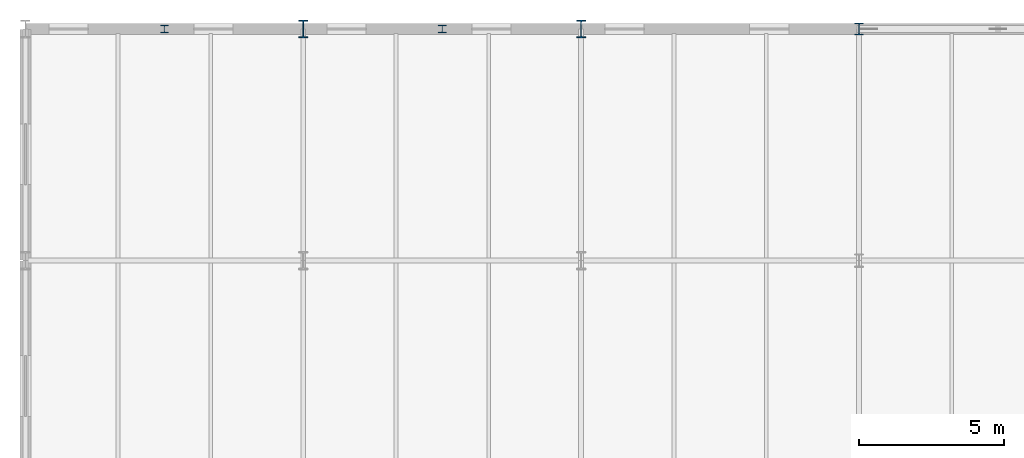
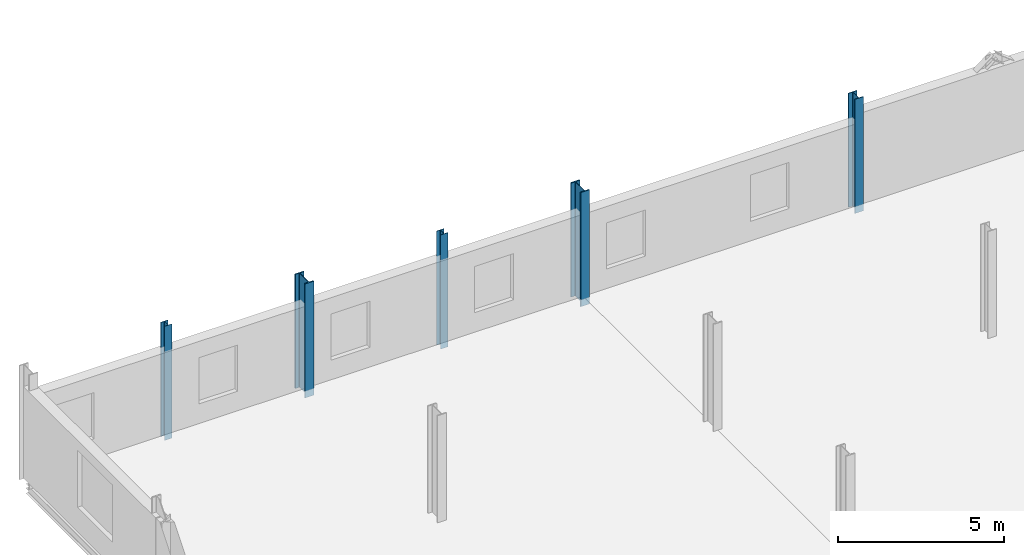
# One storey, part 14 of 85: 5 columns.
"""IFC4 building model written with IfcOpenShell, lengths in metres."""

from ifc_helpers import new_model, si_unit, direction, frame, origin, origin_2d, place, context, subcontext, project, spatial, i_section, extrude, material, material_profile, profile_set, type_object, element, save


model = new_model("IFC4")

# Units and contexts
model_context = context("Model", 3, precision=1e-05, world=origin(), true_north=direction((0.0, 1.0)))
body_context = subcontext(model_context, "Body", "Model", "MODEL_VIEW")
ifc_project = project(units=[si_unit("LENGTHUNIT", "METRE"), si_unit("AREAUNIT", "SQUARE_METRE"), si_unit("VOLUMEUNIT", "CUBIC_METRE"), si_unit("PLANEANGLEUNIT", "RADIAN"), si_unit("MASSUNIT", "GRAM", prefix="KILO")], contexts=[model_context])

# Site, building, storey
site_placement = place(None, origin())
site = spatial("IfcSite", under=ifc_project, at=site_placement, CompositionType="ELEMENT")
building_placement = place(site_placement, origin())
building = spatial("IfcBuilding", under=site, at=building_placement, Name="Alderhovde Museum", CompositionType="ELEMENT")
storey_placement = place(building_placement, frame((0.0, 0.0, 8.699951171875)))
storey = spatial("IfcBuildingStorey", under=building, at=storey_placement, Name="L02", CompositionType="ELEMENT", Elevation=8.699951171875)

# Columns
ifc_material_1 = material(Name="Steel S355J2", Category="steel")
ifc_material_profile_1 = material_profile(ifc_material_1, i_section(OverallWidth=0.300048828125, OverallDepth=0.39990234375, WebThickness=0.013427734375, FlangeThickness=0.02392578125, FilletRadius=0.027099609375, at=origin_2d()), Name="HEB 400")
ifc_profile_set_1 = profile_set([ifc_material_profile_1], Name="Steel S355J2")
column_type_1 = type_object("IfcColumnType", Name="COL-HEB400", PredefinedType="COLUMN", material=ifc_profile_set_1)
column_placement = place(storey_placement, frame((38.39990234375, 112.0, -0.260009765625), z_axis=(0.0, 0.0, 1.0), x_axis=(1.0, 0.0, 0.0)))
element("IfcColumn", 1, at=column_placement, inside=storey, type_object=column_type_1, Name="L02 Column (38.4, 112.0)", PredefinedType="COLUMN", context=body_context, shape_type="SweptSolid", body=[
    extrude(i_section(OverallWidth=0.300048828125, OverallDepth=0.39990234375, WebThickness=0.013427734375, FlangeThickness=0.02392578125, FilletRadius=0.027099609375, at=origin_2d()), origin(), (0.0, 0.0, 1.0), 4.199951171875),
])
ifc_material_2 = material(Name="Steel S355J2", Category="steel")
ifc_material_profile_2 = material_profile(ifc_material_2, i_section(OverallWidth=0.304931640625, OverallDepth=0.6201171875, WebThickness=0.02099609375, FlangeThickness=0.0400390625, FilletRadius=0.027099609375, at=origin_2d()), Name="HEM 600")
ifc_profile_set_2 = profile_set([ifc_material_profile_2], Name="Steel S355J2")
column_type_2 = type_object("IfcColumnType", Name="COL-HEM600", PredefinedType="COLUMN", material=ifc_profile_set_2)
for number, where, z_axis, x_axis, name in (
    (2, (19.199951171875, 112.0, -0.260009765625), (0.0, 0.0, 1.0), (1.0, 0.0, 0.0), "L02 Column (19.2, 112.0)"),
    (3, (28.800048828125, 112.0, -0.260009765625), (0.0, 0.0, 1.0), (1.0, 0.0, 0.0), "L02 Column (28.8, 112.0)"),
):
    element("IfcColumn", number, at=place(storey_placement, frame(where, z_axis=z_axis, x_axis=x_axis)), inside=storey, type_object=column_type_2, Name=name, PredefinedType="COLUMN", context=body_context, shape_type="SweptSolid", body=[
        extrude(i_section(OverallWidth=0.304931640625, OverallDepth=0.6201171875, WebThickness=0.02099609375, FlangeThickness=0.0400390625, FilletRadius=0.027099609375, at=origin_2d()), origin(), (0.0, 0.0, 1.0), 4.199951171875),
    ])
ifc_material_3 = material(Name="Steel S355J2", Category="steel")
ifc_material_profile_3 = material_profile(ifc_material_3, i_section(OverallWidth=0.260009765625, OverallDepth=0.25, WebThickness=0.007568359375, FlangeThickness=0.012451171875, FilletRadius=0.02392578125, at=origin_2d()), Name="HEA 260")
ifc_profile_set_3 = profile_set([ifc_material_profile_3], Name="Steel S355J2")
column_type_3 = type_object("IfcColumnType", Name="PIL-HEA260", PredefinedType="PILASTER", material=ifc_profile_set_3)
for number, where, z_axis, x_axis, name in (
    (4, (14.39990234375, 112.0, -0.260009765625), (0.0, 0.0, 1.0), (1.0, 0.0, 0.0), "L02 Structural Pilaster (14.4, 112.0)"),
    (5, (24.0, 112.0, -0.260009765625), (0.0, 0.0, 1.0), (1.0, 0.0, 0.0), "L02 Structural Pilaster (24.0, 112.0)"),
):
    element("IfcColumn", number, at=place(storey_placement, frame(where, z_axis=z_axis, x_axis=x_axis)), inside=storey, type_object=column_type_3, Name=name, PredefinedType="PILASTER", context=body_context, shape_type="SweptSolid", body=[
        extrude(i_section(OverallWidth=0.260009765625, OverallDepth=0.25, WebThickness=0.007568359375, FlangeThickness=0.012451171875, FilletRadius=0.02392578125, at=origin_2d()), origin(), (0.0, 0.0, 1.0), 4.199951171875),
    ])

save(model, "model.ifc")
